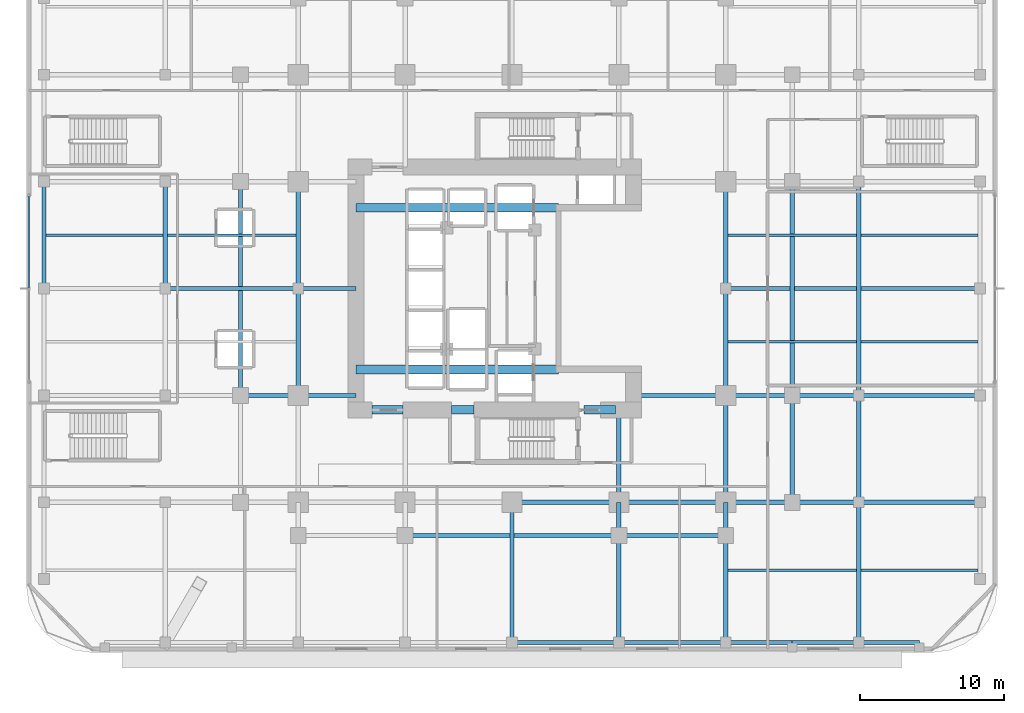
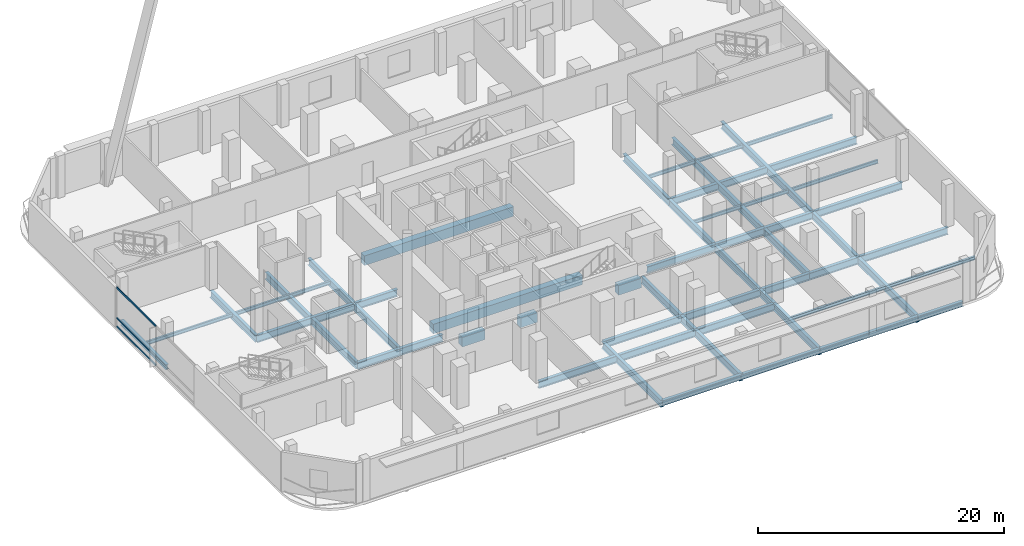
# One storey, part 3 of 19: 53 beams, 3 members, 1 element without a shape of its own.
"""IFC4 building model written with IfcOpenShell, lengths in metres."""

import ifcopenshell
import ifcopenshell.guid

model = None  # the IFC model being written
_history = None  # IfcOwnerHistory: only IFC2X3 demands one
_inside = {}  # id of a spatial element -> (the spatial element, [elements in it])
_under = {}  # id of a project, library or spatial element -> (it, [spatial elements below it])
_declared = {}  # id of a project -> (the project, [libraries it declares])
_typed = {}  # id of a type object -> (the type object, [elements of that type])
_made_of = {}  # id of a material, layer set ... -> (it, [elements and type objects made of it])


def new_model(schema):
    """Start an empty IFC model of exactly this schema.

    Asked for "IFC4X3", IfcOpenShell would pick the latest addendum, in which some entities
    have other attributes; the version numbers below select the first issue.
    IFC2X3 requires an IfcOwnerHistory on every rooted entity: one is made here for all.
    """
    global model, _history
    if schema == "IFC4X3":
        model = ifcopenshell.file(schema_version=(4, 3, 0, 0))
    else:
        model = ifcopenshell.file(schema=schema)
    _inside.clear()
    _under.clear()
    _declared.clear()
    _typed.clear()
    _made_of.clear()
    _history = None
    if model.schema == "IFC2X3":
        org = make("IfcOrganization", Name="unknown")
        user = make(
            "IfcPersonAndOrganization",
            ThePerson=make("IfcPerson", FamilyName="unknown"),
            TheOrganization=org,
        )
        app = make(
            "IfcApplication",
            ApplicationDeveloper=org,
            Version="unknown",
            ApplicationFullName="unknown",
            ApplicationIdentifier="unknown",
        )
        _history = make(
            "IfcOwnerHistory",
            OwningUser=user,
            OwningApplication=app,
            ChangeAction="ADDED",
            CreationDate=0,
        )
    return model


def make(cls, **values):
    """One entity of the class cls with the attributes given. An attribute that is None is left unset."""
    return model.create_entity(
        cls, **{name: value for name, value in values.items() if value is not None}
    )


def rooted(cls, **values):
    """An entity with a GlobalId (a new one), such as an element, a storey or a relation."""
    return make(cls, GlobalId=ifcopenshell.guid.new(), OwnerHistory=_history, **values)


def si_unit(unit_type, name, prefix=None):
    """IfcSIUnit, for example si_unit("LENGTHUNIT", "METRE", prefix="MILLI")."""
    return make("IfcSIUnit", UnitType=unit_type, Prefix=prefix, Name=name)


def assignment(units):
    """IfcUnitAssignment: the units of a project."""
    return None if units is None else make("IfcUnitAssignment", Units=units)


def point(xyz):
    """IfcCartesianPoint."""
    return None if xyz is None else make("IfcCartesianPoint", Coordinates=xyz)


def direction(xyz):
    """IfcDirection."""
    return None if xyz is None else make("IfcDirection", DirectionRatios=xyz)


def frame(location, z_axis=None, x_axis=None):
    """IfcAxis2Placement3D, a coordinate frame: its origin and axes. An axis left out is left unset."""
    return make(
        "IfcAxis2Placement3D",
        Location=point(location),
        Axis=direction(z_axis),
        RefDirection=direction(x_axis),
    )


def frame_2d(location, x_axis=None):
    """IfcAxis2Placement2D, a coordinate frame in the plane: its origin and x axis."""
    return make(
        "IfcAxis2Placement2D", Location=point(location), RefDirection=direction(x_axis)
    )


def origin():
    """The frame at (0, 0, 0) with its axes left unset."""
    return frame((0.0, 0.0, 0.0))


def origin_2d():
    """The frame at (0, 0) in the plane with its x axis left unset."""
    return frame_2d((0.0, 0.0))


def place(relative_to, where):
    """IfcLocalPlacement: puts the frame where relative to a parent placement (None: the world)."""
    return make(
        "IfcLocalPlacement", PlacementRelTo=relative_to, RelativePlacement=where
    )


def context(
    kind, dimensions, precision=None, world=None, true_north=None, identifier=None
):
    """IfcGeometricRepresentationContext, for example the 3D "Model" context."""
    return make(
        "IfcGeometricRepresentationContext",
        ContextIdentifier=identifier,
        ContextType=kind,
        CoordinateSpaceDimension=dimensions,
        Precision=precision,
        WorldCoordinateSystem=world,
        TrueNorth=true_north,
    )


def subcontext(parent, identifier, kind, view, scale=None):
    """IfcGeometricRepresentationSubContext, for example "Body" below "Model"."""
    return make(
        "IfcGeometricRepresentationSubContext",
        ContextIdentifier=identifier,
        ContextType=kind,
        ParentContext=parent,
        TargetScale=scale,
        TargetView=view,
    )


def project(units=None, contexts=None):
    """IfcProject with its units and contexts."""
    return rooted(
        "IfcProject",
        Name="project",
        RepresentationContexts=contexts,
        UnitsInContext=assignment(units),
    )


def spatial(cls, under=None, at=None, **own):
    """A site, building, storey or space (cls), placed at a placement, below another one or the project."""
    s = rooted(cls, ObjectPlacement=at, **own)
    if under is not None:
        _under.setdefault(under.id(), (under, []))[1].append(s)
    return s


def profile(cls, at=None, kind="AREA", **sizes):
    """A parametric profile (cls). Its sizes go by their IFC names, for example OverallWidth=200.0."""
    return make(cls, ProfileType=kind, Position=at, **sizes)


def rectangle(**sizes):
    """IfcRectangleProfileDef."""
    return profile("IfcRectangleProfileDef", **sizes)


def hollow_rectangle(**sizes):
    """IfcRectangleHollowProfileDef."""
    return profile("IfcRectangleHollowProfileDef", **sizes)


def i_section(**sizes):
    """IfcIShapeProfileDef."""
    return profile("IfcIShapeProfileDef", **sizes)


def extrude(swept, where, along, depth):
    """IfcExtrudedAreaSolid: the profile swept, set in the frame where, extruded along a direction by depth."""
    return make(
        "IfcExtrudedAreaSolid",
        SweptArea=swept,
        Position=where,
        ExtrudedDirection=direction(along),
        Depth=depth,
    )


def shape(context_of_items, identifier, shape_type, items):
    """IfcShapeRepresentation: the items that make up one representation, for example the "Body"."""
    return make(
        "IfcShapeRepresentation",
        ContextOfItems=context_of_items,
        RepresentationIdentifier=identifier,
        RepresentationType=shape_type,
        Items=items,
    )


def material(Name=None, Category=None):
    """IfcMaterial."""
    return make("IfcMaterial", Name=Name, Category=Category)


def layer(
    of_material, thickness, ventilated=None, Name=None, Category=None, Priority=None
):
    """IfcMaterialLayer: one layer of a wall or slab, of a material (None: an air gap)."""
    return make(
        "IfcMaterialLayer",
        Material=of_material,
        LayerThickness=thickness,
        IsVentilated=ventilated,
        Name=Name,
        Category=Category,
        Priority=Priority,
    )


def layer_set(layers, Name=None):
    """IfcMaterialLayerSet."""
    return make("IfcMaterialLayerSet", MaterialLayers=layers, LayerSetName=Name)


def material_profile(
    of_material, cross_section, Name=None, Category=None, Priority=None
):
    """IfcMaterialProfile: a cross section and its material."""
    return make(
        "IfcMaterialProfile",
        Name=Name,
        Material=of_material,
        Profile=cross_section,
        Priority=Priority,
        Category=Category,
    )


def profile_set(profiles, Name=None, composite=None):
    """IfcMaterialProfileSet."""
    return make(
        "IfcMaterialProfileSet",
        Name=Name,
        MaterialProfiles=profiles,
        CompositeProfile=composite,
    )


def made_of(thing, what):
    """Note that an element or type object is made of a material, layer set ...; save() writes the relation."""
    if what is not None:
        _made_of.setdefault(what.id(), (what, []))[1].append(thing)
    return thing


def type_object(cls, material=None, **own):
    """A type object (cls), such as IfcWallType, which elements share."""
    return made_of(rooted(cls, **own), material)


def element(
    cls,
    number,
    at=None,
    inside=None,
    cuts=None,
    type_object=None,
    material=None,
    context=None,
    identifier="Body",
    shape_type=None,
    held_by="IfcProductDefinitionShape",
    body=None,
    shapes=None,
    **own,
):
    """One element of the class cls, such as IfcWall. Its Tag is "e" and its number.

    at: its placement. inside: the storey or other place that contains it. cuts: it is an
    opening in that element (IfcRelVoidsElement). A single representation is given by context,
    identifier, shape_type and body (its items); several are given by shapes. held_by: the class
    of the entity that holds the representations. save() writes the other relations.
    """
    e = rooted(cls, Tag="e%d" % number, ObjectPlacement=at, **own)
    if body is not None:
        shapes = [shape(context, identifier, shape_type, body)]
    if shapes is not None:
        e.Representation = make(held_by, Representations=shapes)
    if inside is not None:
        _inside.setdefault(inside.id(), (inside, []))[1].append(e)
    if cuts is not None:
        rooted(
            "IfcRelVoidsElement", RelatingBuildingElement=cuts, RelatedOpeningElement=e
        )
    if type_object is not None:
        _typed.setdefault(type_object.id(), (type_object, []))[1].append(e)
    return made_of(e, material)


def aggregate(whole, parts):
    """IfcRelAggregates: a whole, such as a stair, and the parts it consists of."""
    return rooted("IfcRelAggregates", RelatingObject=whole, RelatedObjects=parts)


def save(model, path):
    """Write the relations noted so far, then the file.

    IfcRelAggregates (storeys below a building ...), IfcRelContainedInSpatialStructure (elements
    in a storey), IfcRelDefinesByType, IfcRelAssociatesMaterial and IfcRelDeclares: one each for
    every whole, place, type object, material and project.
    """
    for whole, parts in _under.values():
        aggregate(whole, parts)
    for where, things in _inside.values():
        rooted(
            "IfcRelContainedInSpatialStructure",
            RelatedElements=things,
            RelatingStructure=where,
        )
    for kind, things in _typed.values():
        rooted("IfcRelDefinesByType", RelatedObjects=things, RelatingType=kind)
    for what, things in _made_of.values():
        rooted("IfcRelAssociatesMaterial", RelatedObjects=things, RelatingMaterial=what)
    for by, libraries in _declared.values():
        rooted("IfcRelDeclares", RelatingContext=by, RelatedDefinitions=libraries)
    model.write(path)


model = new_model("IFC4")

# Units and contexts
model_context = context("Model", 3, precision=1e-05, world=origin(), true_north=direction((0.0, 1.0)))
body_context = subcontext(model_context, "Body", "Model", "MODEL_VIEW")
ifc_project = project(units=[si_unit("LENGTHUNIT", "METRE"), si_unit("AREAUNIT", "SQUARE_METRE"), si_unit("VOLUMEUNIT", "CUBIC_METRE"), si_unit("PLANEANGLEUNIT", "RADIAN"), si_unit("MASSUNIT", "GRAM", prefix="KILO")], contexts=[model_context])

# Site, building, storey
site_placement = place(None, origin())
site = spatial("IfcSite", under=ifc_project, at=site_placement, CompositionType="ELEMENT")
building_placement = place(site_placement, origin())
building = spatial("IfcBuilding", under=site, at=building_placement, Name="Khorvyn Point Tower", CompositionType="ELEMENT")
storey_placement = place(building_placement, frame((0.0, 0.0, 4.800048828125)))
storey = spatial("IfcBuildingStorey", under=building, at=storey_placement, Name="L02", CompositionType="ELEMENT", Elevation=4.800048828125)

# Curtain wall, members
ifc_material_1 = material(Name="Anodised aluminium 6063-T6 and laminated Low-E glass", Category="aluminium")
ifc_layer = layer(ifc_material_1, 0.18994140625)
ifc_layer_set = layer_set([ifc_layer], Name="Stick-Built Low-E Podium Curtain Wall CW-SYS-01")
curtain_wall_type = type_object("IfcCurtainWallType", Name="Stick-Built Low-E Podium Curtain Wall CW-SYS-01", PredefinedType="NOTDEFINED", material=ifc_layer_set)
curtain_wall_placement = place(storey_placement, origin())
curtain_wall = element("IfcCurtainWall", 1, at=curtain_wall_placement, inside=storey, type_object=curtain_wall_type, Name="Curtain Wall", PredefinedType="NOTDEFINED")
ifc_material_2 = material(Name="Anodised aluminium 6063-T6", Category="aluminium")
ifc_material_profile_1 = material_profile(ifc_material_2, hollow_rectangle(XDim=0.10009765625, YDim=0.159912109375, WallThickness=0.00439453125, at=origin_2d()))
ifc_profile_set_1 = profile_set([ifc_material_profile_1], Name="Anodised aluminium 6063-T6 ALU-TRN-100x160")
member_type = type_object("IfcMemberType", Name="Anodised Aluminium 6063-T6 Transom ALU-TRN-100x160", PredefinedType="USERDEFINED", material=ifc_profile_set_1)
member_1_placement = place(storey_placement, frame((-33.449951171875, 0.050048828125, 0.050048828125), z_axis=(0.0, 1.0, 0.0), x_axis=(-1.0, 0.0, 0.0)))
member_1 = element("IfcMember", 2, at=member_1_placement, type_object=member_type, Name="Transom", ObjectType="TRANSOM", PredefinedType="USERDEFINED", context=body_context, shape_type="SweptSolid", body=[
    extrude(hollow_rectangle(XDim=0.10009765625, YDim=0.159912109375, WallThickness=0.00439453125, at=origin_2d()), origin(), (0.0, 0.0, 1.0), 6.349853515625),
])
member_2_placement = place(storey_placement, frame((-33.449951171875, 0.050048828125, 0.89990234375), z_axis=(0.0, 1.0, 0.0), x_axis=(-1.0, 0.0, 0.0)))
member_2 = element("IfcMember", 3, at=member_2_placement, type_object=member_type, Name="Transom", ObjectType="TRANSOM", PredefinedType="USERDEFINED", context=body_context, shape_type="SweptSolid", body=[
    extrude(hollow_rectangle(XDim=0.10009765625, YDim=0.159912109375, WallThickness=0.00439453125, at=origin_2d()), origin(), (0.0, 0.0, 1.0), 6.349853515625),
])
member_3_placement = place(storey_placement, frame((-33.449951171875, 0.050048828125, 3.909912109375), z_axis=(0.0, 1.0, 0.0), x_axis=(-1.0, 0.0, 0.0)))
member_3 = element("IfcMember", 4, at=member_3_placement, type_object=member_type, Name="Transom", ObjectType="TRANSOM", PredefinedType="USERDEFINED", context=body_context, shape_type="SweptSolid", body=[
    extrude(hollow_rectangle(XDim=0.10009765625, YDim=0.159912109375, WallThickness=0.00439453125, at=origin_2d()), origin(), (0.0, 0.0, 1.0), 6.349853515625),
])
aggregate(curtain_wall, [member_1, member_2, member_3])

# Beams
ifc_material_3 = material(Name="Concrete C50/60", Category="concrete")
ifc_material_profile_2 = material_profile(ifc_material_3, rectangle(XDim=0.60009765625, YDim=0.949951171875, at=origin_2d()))
ifc_profile_set_2 = profile_set([ifc_material_profile_2], Name="Concrete C50/60 RC600x950")
beam_type_1 = type_object("IfcBeamType", Name="Concrete C50/60 Beam RC600x950", PredefinedType="BEAM", material=ifc_profile_set_2)
for number, where, z_axis, x_axis, name in (
    (5, (-10.800048828125, -5.60009765625, -0.715087890625), (1.0, 0.0, 0.0), (0.0, 1.0, 0.0), "L02 Core Internal Tie Girder S"),
    (6, (-10.800048828125, 5.60009765625, -0.715087890625), (1.0, 0.0, 0.0), (0.0, 1.0, 0.0), "L02 Core Internal Tie Girder N"),
):
    element("IfcBeam", number, at=place(storey_placement, frame(where, z_axis=z_axis, x_axis=x_axis)), inside=storey, type_object=beam_type_1, Name=name, PredefinedType="BEAM", context=body_context, shape_type="SweptSolid", body=[
        extrude(rectangle(XDim=0.60009765625, YDim=0.949951171875, at=origin_2d()), origin(), (0.0, 0.0, 1.0), 14.02001953125),
    ])
beam_1_placement = place(storey_placement, frame((-9.699951171875, -8.39990234375, -0.715087890625), z_axis=(1.0, 0.0, 0.0), x_axis=(0.0, 1.0, 0.0)))
element("IfcBeam", 7, at=beam_1_placement, inside=storey, type_object=beam_type_1, Name="L02 Core Southwest Portal Coupling Beam", PredefinedType="BEAM", context=body_context, shape_type="SweptSolid", body=[
    extrude(rectangle(XDim=0.60009765625, YDim=0.949951171875, at=origin_2d()), origin(), (0.0, 0.0, 1.0), 2.14990234375),
])
beam_2_placement = place(storey_placement, frame((-4.199951171875, -8.39990234375, -0.715087890625), z_axis=(1.0, 0.0, 0.0), x_axis=(0.0, 1.0, 0.0)))
element("IfcBeam", 8, at=beam_2_placement, inside=storey, type_object=beam_type_1, Name="L02 Core Shuttle Portal Coupling Beam", PredefinedType="BEAM", context=body_context, shape_type="SweptSolid", body=[
    extrude(rectangle(XDim=0.60009765625, YDim=0.949951171875, at=origin_2d()), origin(), (0.0, 0.0, 1.0), 1.579833984375),
])
beam_3_placement = place(storey_placement, frame((5.0, -8.39990234375, -0.715087890625), z_axis=(1.0, 0.0, 0.0), x_axis=(0.0, 1.0, 0.0)))
element("IfcBeam", 9, at=beam_3_placement, inside=storey, type_object=beam_type_1, Name="L02 Core Southeast Portal Coupling Beam", PredefinedType="BEAM", context=body_context, shape_type="SweptSolid", body=[
    extrude(rectangle(XDim=0.60009765625, YDim=0.949951171875, at=origin_2d()), origin(), (0.0, 0.0, 1.0), 2.14990234375),
])
ifc_material_4 = material(Name="Steel S355", Category="steel")
ifc_material_profile_3 = material_profile(ifc_material_4, i_section(OverallWidth=0.300048828125, OverallDepth=0.699951171875, WebThickness=0.012939453125, FlangeThickness=0.02392578125, at=origin_2d()))
ifc_profile_set_3 = profile_set([ifc_material_profile_3], Name="Steel S355 H700x300x13x24")
beam_type_2 = type_object("IfcBeamType", Name="Steel S355 Beam H700x300x13x24", PredefinedType="BEAM", material=ifc_profile_set_3)
beam_4_placement = place(storey_placement, frame((0.0, -14.800048828125, -0.590087890625), z_axis=(1.0, 0.0, 0.0), x_axis=(0.0, 1.0, 0.0)))
element("IfcBeam", 10, at=beam_4_placement, inside=storey, type_object=beam_type_2, Name="Beam", PredefinedType="BEAM", context=body_context, shape_type="SweptSolid", body=[
    extrude(i_section(OverallWidth=0.300048828125, OverallDepth=0.699951171875, WebThickness=0.012939453125, FlangeThickness=0.02392578125, at=origin_2d()), origin(), (0.0, 0.0, 1.0), 7.39990234375),
])
beam_5_placement = place(storey_placement, frame((7.39990234375, -14.800048828125, -0.590087890625), z_axis=(1.0, 0.0, 0.0), x_axis=(0.0, 1.0, 0.0)))
element("IfcBeam", 11, at=beam_5_placement, inside=storey, type_object=beam_type_2, Name="Beam", PredefinedType="BEAM", context=body_context, shape_type="SweptSolid", body=[
    extrude(i_section(OverallWidth=0.300048828125, OverallDepth=0.699951171875, WebThickness=0.012939453125, FlangeThickness=0.02392578125, at=origin_2d()), origin(), (0.0, 0.0, 1.0), 7.400146484375),
])
beam_6_placement = place(storey_placement, frame((14.800048828125, -14.800048828125, -0.590087890625), z_axis=(1.0, 0.0, 0.0), x_axis=(0.0, 1.0, 0.0)))
element("IfcBeam", 12, at=beam_6_placement, inside=storey, type_object=beam_type_2, Name="Beam", PredefinedType="BEAM", context=body_context, shape_type="SweptSolid", body=[
    extrude(i_section(OverallWidth=0.300048828125, OverallDepth=0.699951171875, WebThickness=0.012939453125, FlangeThickness=0.02392578125, at=origin_2d()), origin(), (0.0, 0.0, 1.0), 4.599853515625),
])
beam_7_placement = place(storey_placement, frame((19.39990234375, -14.800048828125, -0.590087890625), z_axis=(1.0, 0.0, 0.0), x_axis=(0.0, 1.0, 0.0)))
element("IfcBeam", 13, at=beam_7_placement, inside=storey, type_object=beam_type_2, Name="Beam", PredefinedType="BEAM", context=body_context, shape_type="SweptSolid", body=[
    extrude(i_section(OverallWidth=0.300048828125, OverallDepth=0.699951171875, WebThickness=0.012939453125, FlangeThickness=0.02392578125, at=origin_2d()), origin(), (0.0, 0.0, 1.0), 4.60009765625),
])
beam_8_placement = place(storey_placement, frame((24.0, -14.800048828125, -0.590087890625), z_axis=(1.0, 0.0, 0.0), x_axis=(0.0, 1.0, 0.0)))
element("IfcBeam", 14, at=beam_8_placement, inside=storey, type_object=beam_type_2, Name="Beam", PredefinedType="BEAM", context=body_context, shape_type="SweptSolid", body=[
    extrude(i_section(OverallWidth=0.300048828125, OverallDepth=0.699951171875, WebThickness=0.012939453125, FlangeThickness=0.02392578125, at=origin_2d()), origin(), (0.0, 0.0, 1.0), 8.39990234375),
])
for number, where, z_axis, x_axis, name in (
    (15, (-18.800048828125, -7.39990234375, -0.590087890625), (1.0, 0.0, 0.0), (0.0, 1.0, 0.0), "Beam"),
    (16, (-14.800048828125, -7.39990234375, -0.590087890625), (1.0, 0.0, 0.0), (0.0, 1.0, 0.0), "Beam"),
):
    element("IfcBeam", number, at=place(storey_placement, frame(where, z_axis=z_axis, x_axis=x_axis)), inside=storey, type_object=beam_type_2, Name=name, PredefinedType="BEAM", context=body_context, shape_type="SweptSolid", body=[
        extrude(i_section(OverallWidth=0.300048828125, OverallDepth=0.699951171875, WebThickness=0.012939453125, FlangeThickness=0.02392578125, at=origin_2d()), origin(), (0.0, 0.0, 1.0), 4.0),
    ])
beam_9_placement = place(storey_placement, frame((8.39990234375, -7.39990234375, -0.590087890625), z_axis=(1.0, 0.0, 0.0), x_axis=(0.0, 1.0, 0.0)))
element("IfcBeam", 17, at=beam_9_placement, inside=storey, type_object=beam_type_2, Name="Beam", PredefinedType="BEAM", context=body_context, shape_type="SweptSolid", body=[
    extrude(i_section(OverallWidth=0.300048828125, OverallDepth=0.699951171875, WebThickness=0.012939453125, FlangeThickness=0.02392578125, at=origin_2d()), origin(), (0.0, 0.0, 1.0), 6.400146484375),
])
beam_10_placement = place(storey_placement, frame((14.800048828125, -7.39990234375, -0.590087890625), z_axis=(1.0, 0.0, 0.0), x_axis=(0.0, 1.0, 0.0)))
element("IfcBeam", 18, at=beam_10_placement, inside=storey, type_object=beam_type_2, Name="Beam", PredefinedType="BEAM", context=body_context, shape_type="SweptSolid", body=[
    extrude(i_section(OverallWidth=0.300048828125, OverallDepth=0.699951171875, WebThickness=0.012939453125, FlangeThickness=0.02392578125, at=origin_2d()), origin(), (0.0, 0.0, 1.0), 4.599853515625),
])
beam_11_placement = place(storey_placement, frame((19.39990234375, -7.39990234375, -0.590087890625), z_axis=(1.0, 0.0, 0.0), x_axis=(0.0, 1.0, 0.0)))
element("IfcBeam", 19, at=beam_11_placement, inside=storey, type_object=beam_type_2, Name="Beam", PredefinedType="BEAM", context=body_context, shape_type="SweptSolid", body=[
    extrude(i_section(OverallWidth=0.300048828125, OverallDepth=0.699951171875, WebThickness=0.012939453125, FlangeThickness=0.02392578125, at=origin_2d()), origin(), (0.0, 0.0, 1.0), 4.60009765625),
])
beam_12_placement = place(storey_placement, frame((24.0, -7.39990234375, -0.590087890625), z_axis=(1.0, 0.0, 0.0), x_axis=(0.0, 1.0, 0.0)))
element("IfcBeam", 20, at=beam_12_placement, inside=storey, type_object=beam_type_2, Name="Beam", PredefinedType="BEAM", context=body_context, shape_type="SweptSolid", body=[
    extrude(i_section(OverallWidth=0.300048828125, OverallDepth=0.699951171875, WebThickness=0.012939453125, FlangeThickness=0.02392578125, at=origin_2d()), origin(), (0.0, 0.0, 1.0), 8.39990234375),
])
beam_13_placement = place(storey_placement, frame((-24.0, 0.0, -0.590087890625), z_axis=(1.0, 0.0, 0.0), x_axis=(0.0, 1.0, 0.0)))
element("IfcBeam", 21, at=beam_13_placement, inside=storey, type_object=beam_type_2, Name="Beam", PredefinedType="BEAM", context=body_context, shape_type="SweptSolid", body=[
    extrude(i_section(OverallWidth=0.300048828125, OverallDepth=0.699951171875, WebThickness=0.012939453125, FlangeThickness=0.02392578125, at=origin_2d()), origin(), (0.0, 0.0, 1.0), 9.199951171875),
])
beam_14_placement = place(storey_placement, frame((-14.800048828125, 0.0, -0.590087890625), z_axis=(1.0, 0.0, 0.0), x_axis=(0.0, 1.0, 0.0)))
element("IfcBeam", 22, at=beam_14_placement, inside=storey, type_object=beam_type_2, Name="Beam", PredefinedType="BEAM", context=body_context, shape_type="SweptSolid", body=[
    extrude(i_section(OverallWidth=0.300048828125, OverallDepth=0.699951171875, WebThickness=0.012939453125, FlangeThickness=0.02392578125, at=origin_2d()), origin(), (0.0, 0.0, 1.0), 4.0),
])
beam_15_placement = place(storey_placement, frame((14.800048828125, 0.0, -0.590087890625), z_axis=(1.0, 0.0, 0.0), x_axis=(0.0, 1.0, 0.0)))
element("IfcBeam", 23, at=beam_15_placement, inside=storey, type_object=beam_type_2, Name="Beam", PredefinedType="BEAM", context=body_context, shape_type="SweptSolid", body=[
    extrude(i_section(OverallWidth=0.300048828125, OverallDepth=0.699951171875, WebThickness=0.012939453125, FlangeThickness=0.02392578125, at=origin_2d()), origin(), (0.0, 0.0, 1.0), 17.599853515625),
])
beam_16_placement = place(storey_placement, frame((-7.39990234375, -17.10009765625, -0.590087890625), z_axis=(1.0, 0.0, 0.0), x_axis=(0.0, 1.0, 0.0)))
element("IfcBeam", 24, at=beam_16_placement, inside=storey, type_object=beam_type_2, Name="Beam", PredefinedType="BEAM", context=body_context, shape_type="SweptSolid", body=[
    extrude(i_section(OverallWidth=0.300048828125, OverallDepth=0.699951171875, WebThickness=0.012939453125, FlangeThickness=0.02392578125, at=origin_2d()), origin(), (0.0, 0.0, 1.0), 14.7998046875),
])
beam_17_placement = place(storey_placement, frame((7.39990234375, -17.10009765625, -0.590087890625), z_axis=(1.0, 0.0, 0.0), x_axis=(0.0, 1.0, 0.0)))
element("IfcBeam", 25, at=beam_17_placement, inside=storey, type_object=beam_type_2, Name="Beam", PredefinedType="BEAM", context=body_context, shape_type="SweptSolid", body=[
    extrude(i_section(OverallWidth=0.300048828125, OverallDepth=0.699951171875, WebThickness=0.012939453125, FlangeThickness=0.02392578125, at=origin_2d()), origin(), (0.0, 0.0, 1.0), 7.400146484375),
])
for number, where, z_axis, x_axis, name in (
    (26, (-24.0, 0.0, -0.590087890625), (0.0, 1.0, 0.0), (-1.0, 0.0, 0.0), "Beam"),
    (27, (-14.800048828125, -7.39990234375, -0.590087890625), (0.0, 1.0, 0.0), (-1.0, 0.0, 0.0), "Beam"),
    (28, (-14.800048828125, 0.0, -0.590087890625), (0.0, 1.0, 0.0), (-1.0, 0.0, 0.0), "Beam"),
):
    element("IfcBeam", number, at=place(storey_placement, frame(where, z_axis=z_axis, x_axis=x_axis)), inside=storey, type_object=beam_type_2, Name=name, PredefinedType="BEAM", context=body_context, shape_type="SweptSolid", body=[
        extrude(i_section(OverallWidth=0.300048828125, OverallDepth=0.699951171875, WebThickness=0.012939453125, FlangeThickness=0.02392578125, at=origin_2d()), origin(), (0.0, 0.0, 1.0), 7.39990234375),
    ])
beam_18_placement = place(storey_placement, frame((0.0, -24.5, -0.590087890625), z_axis=(0.0, 1.0, 0.0), x_axis=(-1.0, 0.0, 0.0)))
element("IfcBeam", 29, at=beam_18_placement, inside=storey, type_object=beam_type_2, Name="Beam", PredefinedType="BEAM", context=body_context, shape_type="SweptSolid", body=[
    extrude(i_section(OverallWidth=0.300048828125, OverallDepth=0.699951171875, WebThickness=0.012939453125, FlangeThickness=0.02392578125, at=origin_2d()), origin(), (0.0, 0.0, 1.0), 9.699951171875),
])
beam_19_placement = place(storey_placement, frame((7.39990234375, -24.5, -0.590087890625), z_axis=(0.0, 1.0, 0.0), x_axis=(-1.0, 0.0, 0.0)))
element("IfcBeam", 30, at=beam_19_placement, inside=storey, type_object=beam_type_2, Name="Beam", PredefinedType="BEAM", context=body_context, shape_type="SweptSolid", body=[
    extrude(i_section(OverallWidth=0.300048828125, OverallDepth=0.699951171875, WebThickness=0.012939453125, FlangeThickness=0.02392578125, at=origin_2d()), origin(), (0.0, 0.0, 1.0), 7.39990234375),
])
beam_20_placement = place(storey_placement, frame((7.39990234375, -17.10009765625, -0.590087890625), z_axis=(0.0, 1.0, 0.0), x_axis=(-1.0, 0.0, 0.0)))
element("IfcBeam", 31, at=beam_20_placement, inside=storey, type_object=beam_type_2, Name="Beam", PredefinedType="BEAM", context=body_context, shape_type="SweptSolid", body=[
    extrude(i_section(OverallWidth=0.300048828125, OverallDepth=0.699951171875, WebThickness=0.012939453125, FlangeThickness=0.02392578125, at=origin_2d()), origin(), (0.0, 0.0, 1.0), 2.300048828125),
])
beam_21_placement = place(storey_placement, frame((7.39990234375, -14.800048828125, -0.590087890625), z_axis=(0.0, 1.0, 0.0), x_axis=(-1.0, 0.0, 0.0)))
element("IfcBeam", 32, at=beam_21_placement, inside=storey, type_object=beam_type_2, Name="Beam", PredefinedType="BEAM", context=body_context, shape_type="SweptSolid", body=[
    extrude(i_section(OverallWidth=0.300048828125, OverallDepth=0.699951171875, WebThickness=0.012939453125, FlangeThickness=0.02392578125, at=origin_2d()), origin(), (0.0, 0.0, 1.0), 6.400146484375),
])
beam_22_placement = place(storey_placement, frame((14.800048828125, -24.5, -0.590087890625), z_axis=(0.0, 1.0, 0.0), x_axis=(-1.0, 0.0, 0.0)))
element("IfcBeam", 33, at=beam_22_placement, inside=storey, type_object=beam_type_2, Name="Beam", PredefinedType="BEAM", context=body_context, shape_type="SweptSolid", body=[
    extrude(i_section(OverallWidth=0.300048828125, OverallDepth=0.699951171875, WebThickness=0.012939453125, FlangeThickness=0.02392578125, at=origin_2d()), origin(), (0.0, 0.0, 1.0), 7.39990234375),
])
beam_23_placement = place(storey_placement, frame((14.800048828125, -17.10009765625, -0.590087890625), z_axis=(0.0, 1.0, 0.0), x_axis=(-1.0, 0.0, 0.0)))
element("IfcBeam", 34, at=beam_23_placement, inside=storey, type_object=beam_type_2, Name="Beam", PredefinedType="BEAM", context=body_context, shape_type="SweptSolid", body=[
    extrude(i_section(OverallWidth=0.300048828125, OverallDepth=0.699951171875, WebThickness=0.012939453125, FlangeThickness=0.02392578125, at=origin_2d()), origin(), (0.0, 0.0, 1.0), 2.300048828125),
])
beam_24_placement = place(storey_placement, frame((14.800048828125, -14.800048828125, -0.590087890625), z_axis=(0.0, 1.0, 0.0), x_axis=(-1.0, 0.0, 0.0)))
element("IfcBeam", 35, at=beam_24_placement, inside=storey, type_object=beam_type_2, Name="Beam", PredefinedType="BEAM", context=body_context, shape_type="SweptSolid", body=[
    extrude(i_section(OverallWidth=0.300048828125, OverallDepth=0.699951171875, WebThickness=0.012939453125, FlangeThickness=0.02392578125, at=origin_2d()), origin(), (0.0, 0.0, 1.0), 7.400146484375),
])
for number, where, z_axis, x_axis, name in (
    (36, (14.800048828125, -7.39990234375, -0.590087890625), (0.0, 1.0, 0.0), (-1.0, 0.0, 0.0), "Beam"),
    (37, (14.800048828125, 0.0, -0.590087890625), (0.0, 1.0, 0.0), (-1.0, 0.0, 0.0), "Beam"),
):
    element("IfcBeam", number, at=place(storey_placement, frame(where, z_axis=z_axis, x_axis=x_axis)), inside=storey, type_object=beam_type_2, Name=name, PredefinedType="BEAM", context=body_context, shape_type="SweptSolid", body=[
        extrude(i_section(OverallWidth=0.300048828125, OverallDepth=0.699951171875, WebThickness=0.012939453125, FlangeThickness=0.02392578125, at=origin_2d()), origin(), (0.0, 0.0, 1.0), 7.39990234375),
    ])
beam_25_placement = place(storey_placement, frame((24.0, -24.5, -0.590087890625), z_axis=(0.0, 1.0, 0.0), x_axis=(-1.0, 0.0, 0.0)))
element("IfcBeam", 38, at=beam_25_placement, inside=storey, type_object=beam_type_2, Name="Beam", PredefinedType="BEAM", context=body_context, shape_type="SweptSolid", body=[
    extrude(i_section(OverallWidth=0.300048828125, OverallDepth=0.699951171875, WebThickness=0.012939453125, FlangeThickness=0.02392578125, at=origin_2d()), origin(), (0.0, 0.0, 1.0), 9.699951171875),
])
beam_26_placement = place(storey_placement, frame((24.0, -14.800048828125, -0.590087890625), z_axis=(0.0, 1.0, 0.0), x_axis=(-1.0, 0.0, 0.0)))
element("IfcBeam", 39, at=beam_26_placement, inside=storey, type_object=beam_type_2, Name="Beam", PredefinedType="BEAM", context=body_context, shape_type="SweptSolid", body=[
    extrude(i_section(OverallWidth=0.300048828125, OverallDepth=0.699951171875, WebThickness=0.012939453125, FlangeThickness=0.02392578125, at=origin_2d()), origin(), (0.0, 0.0, 1.0), 7.400146484375),
])
for number, where, z_axis, x_axis, name in (
    (40, (24.0, -7.39990234375, -0.590087890625), (0.0, 1.0, 0.0), (-1.0, 0.0, 0.0), "Beam"),
    (41, (-18.800048828125, -7.39990234375, -0.590087890625), (0.0, 1.0, 0.0), (-1.0, 0.0, 0.0), "Beam"),
):
    element("IfcBeam", number, at=place(storey_placement, frame(where, z_axis=z_axis, x_axis=x_axis)), inside=storey, type_object=beam_type_2, Name=name, PredefinedType="BEAM", context=body_context, shape_type="SweptSolid", body=[
        extrude(i_section(OverallWidth=0.300048828125, OverallDepth=0.699951171875, WebThickness=0.012939453125, FlangeThickness=0.02392578125, at=origin_2d()), origin(), (0.0, 0.0, 1.0), 14.7998046875),
    ])
beam_27_placement = place(storey_placement, frame((19.39990234375, -14.800048828125, -0.590087890625), z_axis=(0.0, 1.0, 0.0), x_axis=(-1.0, 0.0, 0.0)))
element("IfcBeam", 42, at=beam_27_placement, inside=storey, type_object=beam_type_2, Name="Beam", PredefinedType="BEAM", context=body_context, shape_type="SweptSolid", body=[
    extrude(i_section(OverallWidth=0.300048828125, OverallDepth=0.699951171875, WebThickness=0.012939453125, FlangeThickness=0.02392578125, at=origin_2d()), origin(), (0.0, 0.0, 1.0), 7.400146484375),
])
beam_28_placement = place(storey_placement, frame((19.39990234375, -7.39990234375, -0.590087890625), z_axis=(0.0, 1.0, 0.0), x_axis=(-1.0, 0.0, 0.0)))
element("IfcBeam", 43, at=beam_28_placement, inside=storey, type_object=beam_type_2, Name="Beam", PredefinedType="BEAM", context=body_context, shape_type="SweptSolid", body=[
    extrude(i_section(OverallWidth=0.300048828125, OverallDepth=0.699951171875, WebThickness=0.012939453125, FlangeThickness=0.02392578125, at=origin_2d()), origin(), (0.0, 0.0, 1.0), 14.7998046875),
])
ifc_material_profile_4 = material_profile(ifc_material_4, i_section(OverallWidth=0.175048828125, OverallDepth=0.35009765625, WebThickness=0.007080078125, FlangeThickness=0.010986328125, at=origin_2d()))
ifc_profile_set_4 = profile_set([ifc_material_profile_4], Name="Steel S355 H350x175x7x11")
beam_type_3 = type_object("IfcBeamType", Name="Steel S355 Joist H350x175x7x11", PredefinedType="JOIST", material=ifc_profile_set_4)
beam_29_placement = place(storey_placement, frame((14.949951171875, -19.5, -0.4150390625), z_axis=(1.0, 0.0, 0.0), x_axis=(0.0, 1.0, 0.0)))
element("IfcBeam", 44, at=beam_29_placement, inside=storey, type_object=beam_type_3, Name="Beam", PredefinedType="JOIST", context=body_context, shape_type="SweptSolid", body=[
    extrude(i_section(OverallWidth=0.175048828125, OverallDepth=0.35009765625, WebThickness=0.007080078125, FlangeThickness=0.010986328125, at=origin_2d()), origin(), (0.0, 0.0, 1.0), 8.900146484375),
])
beam_30_placement = place(storey_placement, frame((24.14990234375, -19.5, -0.4150390625), z_axis=(1.0, 0.0, 0.0), x_axis=(0.0, 1.0, 0.0)))
element("IfcBeam", 45, at=beam_30_placement, inside=storey, type_object=beam_type_3, Name="Beam", PredefinedType="JOIST", context=body_context, shape_type="SweptSolid", body=[
    extrude(i_section(OverallWidth=0.175048828125, OverallDepth=0.35009765625, WebThickness=0.007080078125, FlangeThickness=0.010986328125, at=origin_2d()), origin(), (0.0, 0.0, 1.0), 8.10009765625),
])
beam_31_placement = place(storey_placement, frame((14.949951171875, -3.699951171875, -0.4150390625), z_axis=(1.0, 0.0, 0.0), x_axis=(0.0, 1.0, 0.0)))
element("IfcBeam", 46, at=beam_31_placement, inside=storey, type_object=beam_type_3, Name="Beam", PredefinedType="JOIST", context=body_context, shape_type="SweptSolid", body=[
    extrude(i_section(OverallWidth=0.175048828125, OverallDepth=0.35009765625, WebThickness=0.007080078125, FlangeThickness=0.010986328125, at=origin_2d()), origin(), (0.0, 0.0, 1.0), 8.900146484375),
])
for number, where, z_axis, x_axis, name in (
    (47, (24.14990234375, -3.699951171875, -0.4150390625), (1.0, 0.0, 0.0), (0.0, 1.0, 0.0), "Beam"),
    (48, (-32.25, 3.699951171875, -0.4150390625), (1.0, 0.0, 0.0), (0.0, 1.0, 0.0), "Beam"),
):
    element("IfcBeam", number, at=place(storey_placement, frame(where, z_axis=z_axis, x_axis=x_axis)), inside=storey, type_object=beam_type_3, Name=name, PredefinedType="JOIST", context=body_context, shape_type="SweptSolid", body=[
        extrude(i_section(OverallWidth=0.175048828125, OverallDepth=0.35009765625, WebThickness=0.007080078125, FlangeThickness=0.010986328125, at=origin_2d()), origin(), (0.0, 0.0, 1.0), 8.10009765625),
    ])
for number, where, z_axis, x_axis, name in (
    (49, (-23.85009765625, 3.699951171875, -0.4150390625), (1.0, 0.0, 0.0), (0.0, 1.0, 0.0), "Beam"),
    (50, (14.949951171875, 3.699951171875, -0.4150390625), (1.0, 0.0, 0.0), (0.0, 1.0, 0.0), "Beam"),
):
    element("IfcBeam", number, at=place(storey_placement, frame(where, z_axis=z_axis, x_axis=x_axis)), inside=storey, type_object=beam_type_3, Name=name, PredefinedType="JOIST", context=body_context, shape_type="SweptSolid", body=[
        extrude(i_section(OverallWidth=0.175048828125, OverallDepth=0.35009765625, WebThickness=0.007080078125, FlangeThickness=0.010986328125, at=origin_2d()), origin(), (0.0, 0.0, 1.0), 8.900146484375),
    ])
beam_32_placement = place(storey_placement, frame((24.14990234375, 3.699951171875, -0.4150390625), z_axis=(1.0, 0.0, 0.0), x_axis=(0.0, 1.0, 0.0)))
element("IfcBeam", 51, at=beam_32_placement, inside=storey, type_object=beam_type_3, Name="Beam", PredefinedType="JOIST", context=body_context, shape_type="SweptSolid", body=[
    extrude(i_section(OverallWidth=0.175048828125, OverallDepth=0.35009765625, WebThickness=0.007080078125, FlangeThickness=0.010986328125, at=origin_2d()), origin(), (0.0, 0.0, 1.0), 8.10009765625),
])
ifc_material_profile_5 = material_profile(ifc_material_4, i_section(OverallWidth=0.300048828125, OverallDepth=0.488037109375, WebThickness=0.010986328125, FlangeThickness=0.01806640625, at=origin_2d()))
ifc_profile_set_5 = profile_set([ifc_material_profile_5], Name="Steel S355 H488x300x11x18")
beam_type_4 = type_object("IfcBeamType", Name="Steel S355 Spandrel H488x300x11x18", PredefinedType="SPANDREL", material=ifc_profile_set_5)
beam_33_placement = place(storey_placement, frame((0.0, -24.5, -0.484130859375), z_axis=(1.0, 0.0, 0.0), x_axis=(0.0, 1.0, 0.0)))
element("IfcBeam", 52, at=beam_33_placement, inside=storey, type_object=beam_type_4, Name="Beam", PredefinedType="SPANDREL", context=body_context, shape_type="SweptSolid", body=[
    extrude(i_section(OverallWidth=0.300048828125, OverallDepth=0.488037109375, WebThickness=0.010986328125, FlangeThickness=0.01806640625, at=origin_2d()), origin(), (0.0, 0.0, 1.0), 7.39990234375),
])
beam_34_placement = place(storey_placement, frame((7.39990234375, -24.5, -0.484130859375), z_axis=(1.0, 0.0, 0.0), x_axis=(0.0, 1.0, 0.0)))
element("IfcBeam", 53, at=beam_34_placement, inside=storey, type_object=beam_type_4, Name="Beam", PredefinedType="SPANDREL", context=body_context, shape_type="SweptSolid", body=[
    extrude(i_section(OverallWidth=0.300048828125, OverallDepth=0.488037109375, WebThickness=0.010986328125, FlangeThickness=0.01806640625, at=origin_2d()), origin(), (0.0, 0.0, 1.0), 7.400146484375),
])
beam_35_placement = place(storey_placement, frame((14.800048828125, -24.5, -0.484130859375), z_axis=(1.0, 0.0, 0.0), x_axis=(0.0, 1.0, 0.0)))
element("IfcBeam", 54, at=beam_35_placement, inside=storey, type_object=beam_type_4, Name="Beam", PredefinedType="SPANDREL", context=body_context, shape_type="SweptSolid", body=[
    extrude(i_section(OverallWidth=0.300048828125, OverallDepth=0.488037109375, WebThickness=0.010986328125, FlangeThickness=0.01806640625, at=origin_2d()), origin(), (0.0, 0.0, 1.0), 4.599853515625),
])
beam_36_placement = place(storey_placement, frame((19.39990234375, -24.5, -0.484130859375), z_axis=(1.0, 0.0, 0.0), x_axis=(0.0, 1.0, 0.0)))
element("IfcBeam", 55, at=beam_36_placement, inside=storey, type_object=beam_type_4, Name="Beam", PredefinedType="SPANDREL", context=body_context, shape_type="SweptSolid", body=[
    extrude(i_section(OverallWidth=0.300048828125, OverallDepth=0.488037109375, WebThickness=0.010986328125, FlangeThickness=0.01806640625, at=origin_2d()), origin(), (0.0, 0.0, 1.0), 4.60009765625),
])
beam_37_placement = place(storey_placement, frame((24.0, -24.5, -0.484130859375), z_axis=(1.0, 0.0, 0.0), x_axis=(0.0, 1.0, 0.0)))
element("IfcBeam", 56, at=beam_37_placement, inside=storey, type_object=beam_type_4, Name="Beam", PredefinedType="SPANDREL", context=body_context, shape_type="SweptSolid", body=[
    extrude(i_section(OverallWidth=0.300048828125, OverallDepth=0.488037109375, WebThickness=0.010986328125, FlangeThickness=0.01806640625, at=origin_2d()), origin(), (0.0, 0.0, 1.0), 4.199951171875),
])
beam_38_placement = place(storey_placement, frame((-32.39990234375, 0.0, -0.484130859375), z_axis=(0.0, 1.0, 0.0), x_axis=(-1.0, 0.0, 0.0)))
element("IfcBeam", 57, at=beam_38_placement, inside=storey, type_object=beam_type_4, Name="Beam", PredefinedType="SPANDREL", context=body_context, shape_type="SweptSolid", body=[
    extrude(i_section(OverallWidth=0.300048828125, OverallDepth=0.488037109375, WebThickness=0.010986328125, FlangeThickness=0.01806640625, at=origin_2d()), origin(), (0.0, 0.0, 1.0), 7.39990234375),
])

save(model, "model.ifc")
